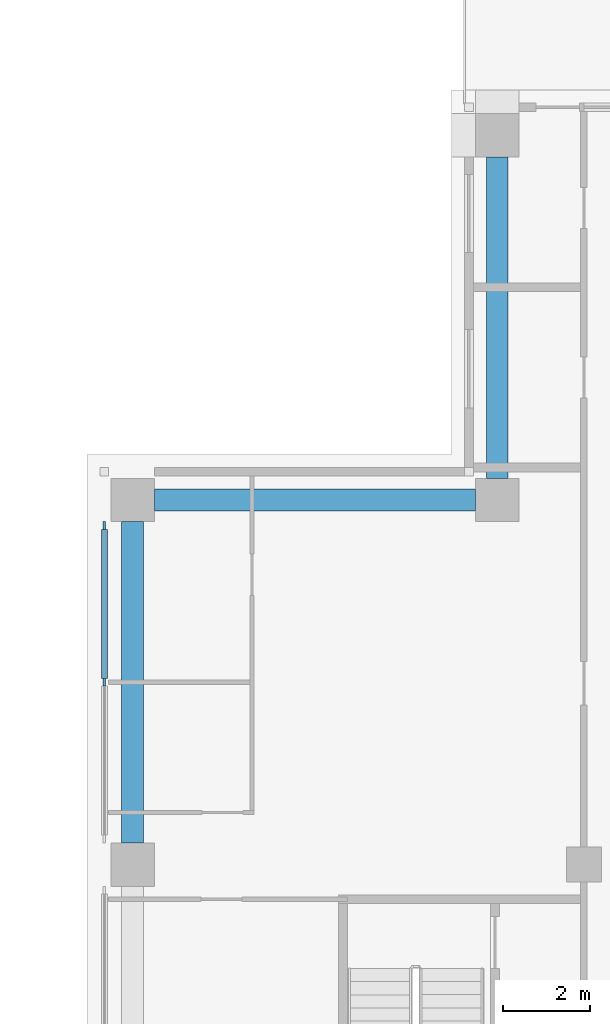
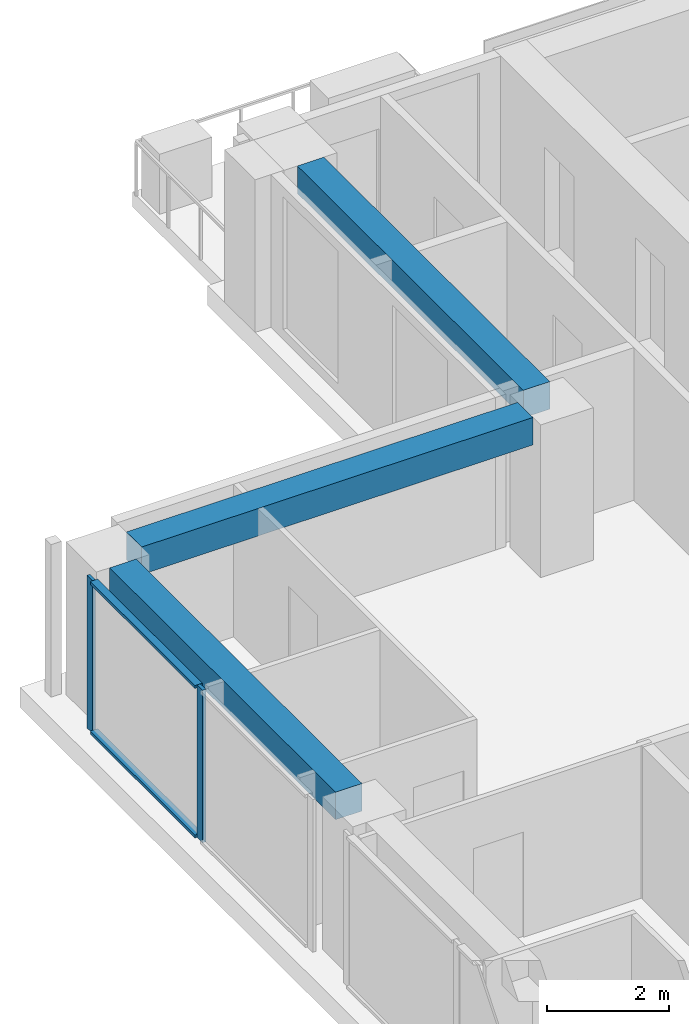
# One storey, part 5 of 17: 4 members, 3 beams, 1 element without a shape of its own.
"""IFC4 building model written with IfcOpenShell, lengths in metres."""

import ifcopenshell
import ifcopenshell.guid

model = None  # the IFC model being written
_history = None  # IfcOwnerHistory: only IFC2X3 demands one
_inside = {}  # id of a spatial element -> (the spatial element, [elements in it])
_under = {}  # id of a project, library or spatial element -> (it, [spatial elements below it])
_declared = {}  # id of a project -> (the project, [libraries it declares])
_typed = {}  # id of a type object -> (the type object, [elements of that type])
_made_of = {}  # id of a material, layer set ... -> (it, [elements and type objects made of it])


def new_model(schema):
    """Start an empty IFC model of exactly this schema.

    Asked for "IFC4X3", IfcOpenShell would pick the latest addendum, in which some entities
    have other attributes; the version numbers below select the first issue.
    IFC2X3 requires an IfcOwnerHistory on every rooted entity: one is made here for all.
    """
    global model, _history
    if schema == "IFC4X3":
        model = ifcopenshell.file(schema_version=(4, 3, 0, 0))
    else:
        model = ifcopenshell.file(schema=schema)
    _inside.clear()
    _under.clear()
    _declared.clear()
    _typed.clear()
    _made_of.clear()
    _history = None
    if model.schema == "IFC2X3":
        org = make("IfcOrganization", Name="unknown")
        user = make(
            "IfcPersonAndOrganization",
            ThePerson=make("IfcPerson", FamilyName="unknown"),
            TheOrganization=org,
        )
        app = make(
            "IfcApplication",
            ApplicationDeveloper=org,
            Version="unknown",
            ApplicationFullName="unknown",
            ApplicationIdentifier="unknown",
        )
        _history = make(
            "IfcOwnerHistory",
            OwningUser=user,
            OwningApplication=app,
            ChangeAction="ADDED",
            CreationDate=0,
        )
    return model


def make(cls, **values):
    """One entity of the class cls with the attributes given. An attribute that is None is left unset."""
    return model.create_entity(
        cls, **{name: value for name, value in values.items() if value is not None}
    )


def rooted(cls, **values):
    """An entity with a GlobalId (a new one), such as an element, a storey or a relation."""
    return make(cls, GlobalId=ifcopenshell.guid.new(), OwnerHistory=_history, **values)


def si_unit(unit_type, name, prefix=None):
    """IfcSIUnit, for example si_unit("LENGTHUNIT", "METRE", prefix="MILLI")."""
    return make("IfcSIUnit", UnitType=unit_type, Prefix=prefix, Name=name)


def assignment(units):
    """IfcUnitAssignment: the units of a project."""
    return None if units is None else make("IfcUnitAssignment", Units=units)


def point(xyz):
    """IfcCartesianPoint."""
    return None if xyz is None else make("IfcCartesianPoint", Coordinates=xyz)


def direction(xyz):
    """IfcDirection."""
    return None if xyz is None else make("IfcDirection", DirectionRatios=xyz)


def frame(location, z_axis=None, x_axis=None):
    """IfcAxis2Placement3D, a coordinate frame: its origin and axes. An axis left out is left unset."""
    return make(
        "IfcAxis2Placement3D",
        Location=point(location),
        Axis=direction(z_axis),
        RefDirection=direction(x_axis),
    )


def frame_2d(location, x_axis=None):
    """IfcAxis2Placement2D, a coordinate frame in the plane: its origin and x axis."""
    return make(
        "IfcAxis2Placement2D", Location=point(location), RefDirection=direction(x_axis)
    )


def origin():
    """The frame at (0, 0, 0) with its axes left unset."""
    return frame((0.0, 0.0, 0.0))


def origin_2d():
    """The frame at (0, 0) in the plane with its x axis left unset."""
    return frame_2d((0.0, 0.0))


def place(relative_to, where):
    """IfcLocalPlacement: puts the frame where relative to a parent placement (None: the world)."""
    return make(
        "IfcLocalPlacement", PlacementRelTo=relative_to, RelativePlacement=where
    )


def context(
    kind, dimensions, precision=None, world=None, true_north=None, identifier=None
):
    """IfcGeometricRepresentationContext, for example the 3D "Model" context."""
    return make(
        "IfcGeometricRepresentationContext",
        ContextIdentifier=identifier,
        ContextType=kind,
        CoordinateSpaceDimension=dimensions,
        Precision=precision,
        WorldCoordinateSystem=world,
        TrueNorth=true_north,
    )


def subcontext(parent, identifier, kind, view, scale=None):
    """IfcGeometricRepresentationSubContext, for example "Body" below "Model"."""
    return make(
        "IfcGeometricRepresentationSubContext",
        ContextIdentifier=identifier,
        ContextType=kind,
        ParentContext=parent,
        TargetScale=scale,
        TargetView=view,
    )


def project(units=None, contexts=None):
    """IfcProject with its units and contexts."""
    return rooted(
        "IfcProject",
        Name="project",
        RepresentationContexts=contexts,
        UnitsInContext=assignment(units),
    )


def spatial(cls, under=None, at=None, **own):
    """A site, building, storey or space (cls), placed at a placement, below another one or the project."""
    s = rooted(cls, ObjectPlacement=at, **own)
    if under is not None:
        _under.setdefault(under.id(), (under, []))[1].append(s)
    return s


def profile(cls, at=None, kind="AREA", **sizes):
    """A parametric profile (cls). Its sizes go by their IFC names, for example OverallWidth=200.0."""
    return make(cls, ProfileType=kind, Position=at, **sizes)


def rectangle(**sizes):
    """IfcRectangleProfileDef."""
    return profile("IfcRectangleProfileDef", **sizes)


def extrude(swept, where, along, depth):
    """IfcExtrudedAreaSolid: the profile swept, set in the frame where, extruded along a direction by depth."""
    return make(
        "IfcExtrudedAreaSolid",
        SweptArea=swept,
        Position=where,
        ExtrudedDirection=direction(along),
        Depth=depth,
    )


def shape(context_of_items, identifier, shape_type, items):
    """IfcShapeRepresentation: the items that make up one representation, for example the "Body"."""
    return make(
        "IfcShapeRepresentation",
        ContextOfItems=context_of_items,
        RepresentationIdentifier=identifier,
        RepresentationType=shape_type,
        Items=items,
    )


def material(Name=None, Category=None):
    """IfcMaterial."""
    return make("IfcMaterial", Name=Name, Category=Category)


def material_profile(
    of_material, cross_section, Name=None, Category=None, Priority=None
):
    """IfcMaterialProfile: a cross section and its material."""
    return make(
        "IfcMaterialProfile",
        Name=Name,
        Material=of_material,
        Profile=cross_section,
        Priority=Priority,
        Category=Category,
    )


def profile_set(profiles, Name=None, composite=None):
    """IfcMaterialProfileSet."""
    return make(
        "IfcMaterialProfileSet",
        Name=Name,
        MaterialProfiles=profiles,
        CompositeProfile=composite,
    )


def made_of(thing, what):
    """Note that an element or type object is made of a material, layer set ...; save() writes the relation."""
    if what is not None:
        _made_of.setdefault(what.id(), (what, []))[1].append(thing)
    return thing


def type_object(cls, material=None, **own):
    """A type object (cls), such as IfcWallType, which elements share."""
    return made_of(rooted(cls, **own), material)


def element(
    cls,
    number,
    at=None,
    inside=None,
    cuts=None,
    type_object=None,
    material=None,
    context=None,
    identifier="Body",
    shape_type=None,
    held_by="IfcProductDefinitionShape",
    body=None,
    shapes=None,
    **own,
):
    """One element of the class cls, such as IfcWall. Its Tag is "e" and its number.

    at: its placement. inside: the storey or other place that contains it. cuts: it is an
    opening in that element (IfcRelVoidsElement). A single representation is given by context,
    identifier, shape_type and body (its items); several are given by shapes. held_by: the class
    of the entity that holds the representations. save() writes the other relations.
    """
    e = rooted(cls, Tag="e%d" % number, ObjectPlacement=at, **own)
    if body is not None:
        shapes = [shape(context, identifier, shape_type, body)]
    if shapes is not None:
        e.Representation = make(held_by, Representations=shapes)
    if inside is not None:
        _inside.setdefault(inside.id(), (inside, []))[1].append(e)
    if cuts is not None:
        rooted(
            "IfcRelVoidsElement", RelatingBuildingElement=cuts, RelatedOpeningElement=e
        )
    if type_object is not None:
        _typed.setdefault(type_object.id(), (type_object, []))[1].append(e)
    return made_of(e, material)


def aggregate(whole, parts):
    """IfcRelAggregates: a whole, such as a stair, and the parts it consists of."""
    return rooted("IfcRelAggregates", RelatingObject=whole, RelatedObjects=parts)


def save(model, path):
    """Write the relations noted so far, then the file.

    IfcRelAggregates (storeys below a building ...), IfcRelContainedInSpatialStructure (elements
    in a storey), IfcRelDefinesByType, IfcRelAssociatesMaterial and IfcRelDeclares: one each for
    every whole, place, type object, material and project.
    """
    for whole, parts in _under.values():
        aggregate(whole, parts)
    for where, things in _inside.values():
        rooted(
            "IfcRelContainedInSpatialStructure",
            RelatedElements=things,
            RelatingStructure=where,
        )
    for kind, things in _typed.values():
        rooted("IfcRelDefinesByType", RelatedObjects=things, RelatingType=kind)
    for what, things in _made_of.values():
        rooted("IfcRelAssociatesMaterial", RelatedObjects=things, RelatingMaterial=what)
    for by, libraries in _declared.values():
        rooted("IfcRelDeclares", RelatingContext=by, RelatedDefinitions=libraries)
    model.write(path)


model = new_model("IFC4")

# Units and contexts
model_context = context("Model", 3, precision=1e-05, world=origin(), true_north=direction((0.0, 1.0)))
body_context = subcontext(model_context, "Body", "Model", "MODEL_VIEW")
ifc_project = project(units=[si_unit("LENGTHUNIT", "METRE"), si_unit("AREAUNIT", "SQUARE_METRE"), si_unit("VOLUMEUNIT", "CUBIC_METRE"), si_unit("PLANEANGLEUNIT", "RADIAN"), si_unit("MASSUNIT", "GRAM", prefix="KILO")], contexts=[model_context])

# Site, building, storey
site_placement = place(None, origin())
site = spatial("IfcSite", under=ifc_project, at=site_placement, CompositionType="ELEMENT")
building_placement = place(site_placement, origin())
building = spatial("IfcBuilding", under=site, at=building_placement, Name="Vermilion Ogive Tower", CompositionType="ELEMENT")
storey_placement = place(building_placement, frame((0.0, 0.0, 189.35009765625)))
storey = spatial("IfcBuildingStorey", under=building, at=storey_placement, Name="L49", CompositionType="ELEMENT", Elevation=189.35009765625)

# Curtain wall, members
ifc_material_1 = material(Name="Low-iron laminated glazing in aluminium frame", Category="aluminium")
curtain_wall_type = type_object("IfcCurtainWallType", Name="Curtain wall CW7", PredefinedType="NOTDEFINED", material=ifc_material_1)
curtain_wall_placement = place(storey_placement, origin())
curtain_wall = element("IfcCurtainWall", 1, at=curtain_wall_placement, inside=storey, type_object=curtain_wall_type, Name="Glazed skin W1", PredefinedType="NOTDEFINED")
ifc_material_2 = material(Name="Aluminium mullion", Category="aluminium")
ifc_material_profile_1 = material_profile(ifc_material_2, rectangle(XDim=0.06005859375, YDim=0.179931640625, at=origin_2d()), Name="AL 60x180")
ifc_profile_set_1 = profile_set([ifc_material_profile_1], Name="Aluminium mullion")
member_type_1 = type_object("IfcMemberType", Name="CW7 mullion 60x180", PredefinedType="MULLION", material=ifc_profile_set_1)
member_1_placement = place(storey_placement, frame((-25.85009765625, 12.010009765625, 0.0), z_axis=(0.0, 0.0, 1.0), x_axis=(1.0, 0.0, 0.0)))
member_1 = element("IfcMember", 2, at=member_1_placement, type_object=member_type_1, Name="CW7-W1 mullion 1", PredefinedType="MULLION", context=body_context, shape_type="SweptSolid", body=[
    extrude(rectangle(XDim=0.06005859375, YDim=0.179931640625, at=origin_2d()), origin(), (0.0, 0.0, 1.0), 3.0498046875),
])
member_2_placement = place(storey_placement, frame((-25.85009765625, 8.39990234375, 0.0), z_axis=(0.0, 0.0, 1.0), x_axis=(1.0, 0.0, 0.0)))
member_2 = element("IfcMember", 3, at=member_2_placement, type_object=member_type_1, Name="CW7-W1 mullion 2", PredefinedType="MULLION", context=body_context, shape_type="SweptSolid", body=[
    extrude(rectangle(XDim=0.06005859375, YDim=0.179931640625, at=origin_2d()), origin(), (0.0, 0.0, 1.0), 3.0498046875),
])
ifc_material_3 = material(Name="Aluminium transom", Category="aluminium")
ifc_material_profile_2 = material_profile(ifc_material_3, rectangle(XDim=0.139892578125, YDim=0.06005859375, at=origin_2d()), Name="AL 60x140")
ifc_profile_set_2 = profile_set([ifc_material_profile_2], Name="Aluminium transom")
member_type_2 = type_object("IfcMemberType", Name="CW7 transom 60x140", PredefinedType="USERDEFINED", material=ifc_profile_set_2)
member_3_placement = place(storey_placement, frame((-25.85009765625, 11.919921875, 0.02978515625), z_axis=(0.0, -1.0, 0.0), x_axis=(1.0, 0.0, 0.0)))
member_3 = element("IfcMember", 4, at=member_3_placement, type_object=member_type_2, Name="CW7-W1 transom 1.1", ObjectType="TRANSOM", PredefinedType="USERDEFINED", context=body_context, shape_type="SweptSolid", body=[
    extrude(rectangle(XDim=0.139892578125, YDim=0.06005859375, at=origin_2d()), origin(), (0.0, 0.0, 1.0), 3.429931640625),
])
member_4_placement = place(storey_placement, frame((-25.85009765625, 11.919921875, 3.02001953125), z_axis=(0.0, -1.0, 0.0), x_axis=(1.0, 0.0, 0.0)))
member_4 = element("IfcMember", 5, at=member_4_placement, type_object=member_type_2, Name="CW7-W1 transom 1.2", ObjectType="TRANSOM", PredefinedType="USERDEFINED", context=body_context, shape_type="SweptSolid", body=[
    extrude(rectangle(XDim=0.139892578125, YDim=0.06005859375, at=origin_2d()), origin(), (0.0, 0.0, 1.0), 3.429931640625),
])
aggregate(curtain_wall, [member_1, member_2, member_3, member_4])

# Beams
ifc_material_4 = material(Name="Concrete B45", Category="concrete")
ifc_material_profile_3 = material_profile(ifc_material_4, rectangle(XDim=0.5, YDim=0.550048828125, at=origin_2d()), Name="500 x 550")
ifc_profile_set_3 = profile_set([ifc_material_profile_3], Name="Concrete B45")
beam_type = type_object("IfcBeamType", Name="Edge beam 500 x 550 B45", PredefinedType="BEAM", material=ifc_profile_set_3)
for number, where, z_axis, x_axis, name in (
    (6, (-16.800048828125, 20.5, 2.77490234375), (0.0, -1.0, 0.0), (1.0, 0.0, 0.0), "L49-EB-12"),
    (7, (-17.300048828125, 12.60009765625, 2.77490234375), (-1.0, 0.0, 0.0), (0.0, -1.0, 0.0), "L49-EB-13"),
):
    element("IfcBeam", number, at=place(storey_placement, frame(where, z_axis=z_axis, x_axis=x_axis)), inside=storey, type_object=beam_type, Name=name, PredefinedType="BEAM", context=body_context, shape_type="SweptSolid", body=[
        extrude(rectangle(XDim=0.5, YDim=0.550048828125, at=origin_2d()), origin(), (0.0, 0.0, 1.0), 7.39990234375),
    ])
beam_placement = place(storey_placement, frame((-25.199951171875, 12.10009765625, 2.77490234375), z_axis=(0.0, -1.0, 0.0), x_axis=(1.0, 0.0, 0.0)))
element("IfcBeam", 8, at=beam_placement, inside=storey, type_object=beam_type, Name="L49-EB-14", PredefinedType="BEAM", context=body_context, shape_type="SweptSolid", body=[
    extrude(rectangle(XDim=0.5, YDim=0.550048828125, at=origin_2d()), origin(), (0.0, 0.0, 1.0), 7.400146484375),
])

save(model, "model.ifc")
